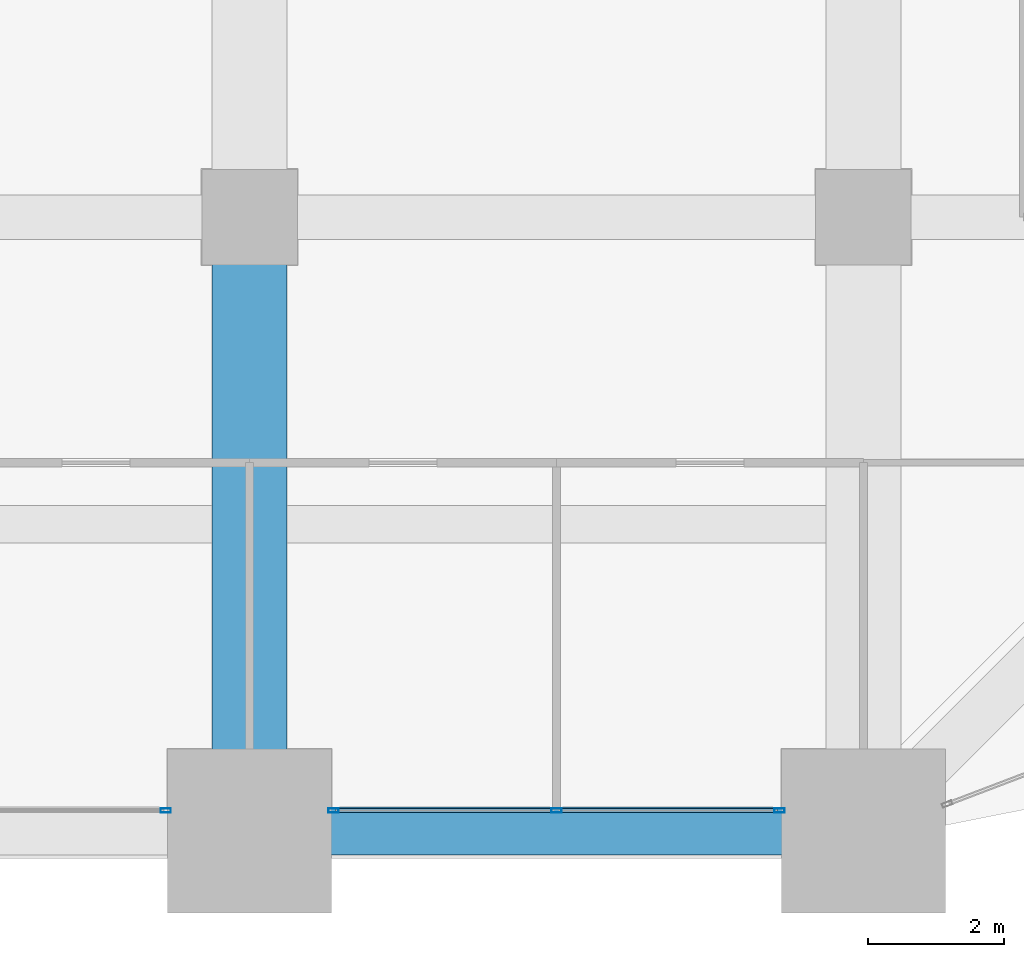
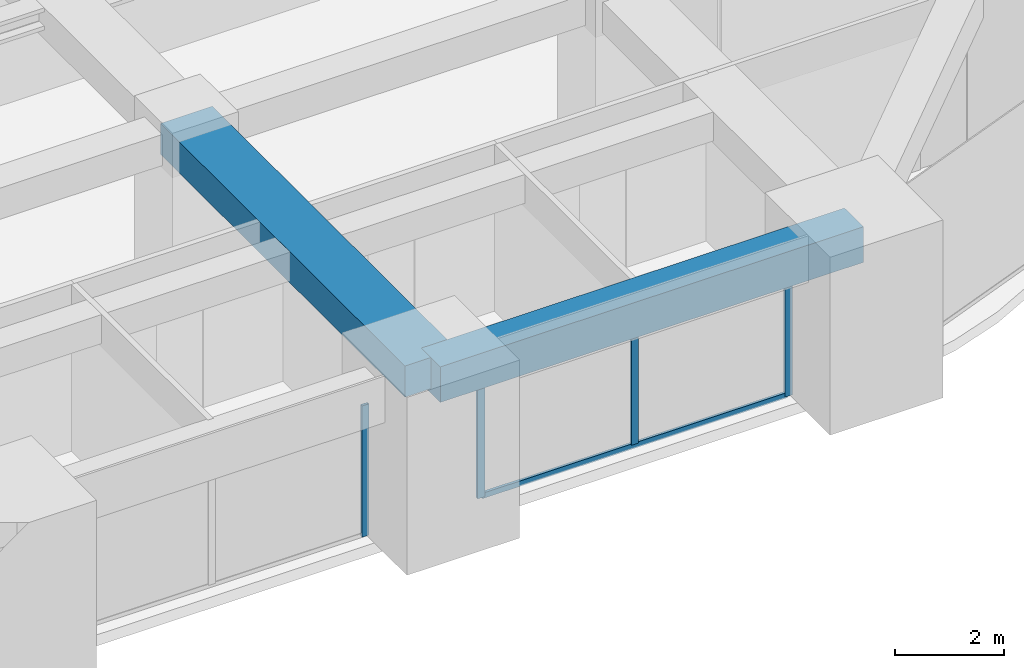
# One storey, part 13 of 33: 5 members, 2 beams, 2 elements without a shape of their own.
"""IFC4 building model written with IfcOpenShell, lengths in metres."""

import ifcopenshell
import ifcopenshell.guid

model = None  # the IFC model being written
_history = None  # IfcOwnerHistory: only IFC2X3 demands one
_inside = {}  # id of a spatial element -> (the spatial element, [elements in it])
_under = {}  # id of a project, library or spatial element -> (it, [spatial elements below it])
_declared = {}  # id of a project -> (the project, [libraries it declares])
_typed = {}  # id of a type object -> (the type object, [elements of that type])
_made_of = {}  # id of a material, layer set ... -> (it, [elements and type objects made of it])


def new_model(schema):
    """Start an empty IFC model of exactly this schema.

    Asked for "IFC4X3", IfcOpenShell would pick the latest addendum, in which some entities
    have other attributes; the version numbers below select the first issue.
    IFC2X3 requires an IfcOwnerHistory on every rooted entity: one is made here for all.
    """
    global model, _history
    if schema == "IFC4X3":
        model = ifcopenshell.file(schema_version=(4, 3, 0, 0))
    else:
        model = ifcopenshell.file(schema=schema)
    _inside.clear()
    _under.clear()
    _declared.clear()
    _typed.clear()
    _made_of.clear()
    _history = None
    if model.schema == "IFC2X3":
        org = make("IfcOrganization", Name="unknown")
        user = make(
            "IfcPersonAndOrganization",
            ThePerson=make("IfcPerson", FamilyName="unknown"),
            TheOrganization=org,
        )
        app = make(
            "IfcApplication",
            ApplicationDeveloper=org,
            Version="unknown",
            ApplicationFullName="unknown",
            ApplicationIdentifier="unknown",
        )
        _history = make(
            "IfcOwnerHistory",
            OwningUser=user,
            OwningApplication=app,
            ChangeAction="ADDED",
            CreationDate=0,
        )
    return model


def make(cls, **values):
    """One entity of the class cls with the attributes given. An attribute that is None is left unset."""
    return model.create_entity(
        cls, **{name: value for name, value in values.items() if value is not None}
    )


def rooted(cls, **values):
    """An entity with a GlobalId (a new one), such as an element, a storey or a relation."""
    return make(cls, GlobalId=ifcopenshell.guid.new(), OwnerHistory=_history, **values)


def si_unit(unit_type, name, prefix=None):
    """IfcSIUnit, for example si_unit("LENGTHUNIT", "METRE", prefix="MILLI")."""
    return make("IfcSIUnit", UnitType=unit_type, Prefix=prefix, Name=name)


def assignment(units):
    """IfcUnitAssignment: the units of a project."""
    return None if units is None else make("IfcUnitAssignment", Units=units)


def point(xyz):
    """IfcCartesianPoint."""
    return None if xyz is None else make("IfcCartesianPoint", Coordinates=xyz)


def direction(xyz):
    """IfcDirection."""
    return None if xyz is None else make("IfcDirection", DirectionRatios=xyz)


def frame(location, z_axis=None, x_axis=None):
    """IfcAxis2Placement3D, a coordinate frame: its origin and axes. An axis left out is left unset."""
    return make(
        "IfcAxis2Placement3D",
        Location=point(location),
        Axis=direction(z_axis),
        RefDirection=direction(x_axis),
    )


def frame_2d(location, x_axis=None):
    """IfcAxis2Placement2D, a coordinate frame in the plane: its origin and x axis."""
    return make(
        "IfcAxis2Placement2D", Location=point(location), RefDirection=direction(x_axis)
    )


def origin():
    """The frame at (0, 0, 0) with its axes left unset."""
    return frame((0.0, 0.0, 0.0))


def origin_2d():
    """The frame at (0, 0) in the plane with its x axis left unset."""
    return frame_2d((0.0, 0.0))


def place(relative_to, where):
    """IfcLocalPlacement: puts the frame where relative to a parent placement (None: the world)."""
    return make(
        "IfcLocalPlacement", PlacementRelTo=relative_to, RelativePlacement=where
    )


def context(
    kind, dimensions, precision=None, world=None, true_north=None, identifier=None
):
    """IfcGeometricRepresentationContext, for example the 3D "Model" context."""
    return make(
        "IfcGeometricRepresentationContext",
        ContextIdentifier=identifier,
        ContextType=kind,
        CoordinateSpaceDimension=dimensions,
        Precision=precision,
        WorldCoordinateSystem=world,
        TrueNorth=true_north,
    )


def subcontext(parent, identifier, kind, view, scale=None):
    """IfcGeometricRepresentationSubContext, for example "Body" below "Model"."""
    return make(
        "IfcGeometricRepresentationSubContext",
        ContextIdentifier=identifier,
        ContextType=kind,
        ParentContext=parent,
        TargetScale=scale,
        TargetView=view,
    )


def project(units=None, contexts=None):
    """IfcProject with its units and contexts."""
    return rooted(
        "IfcProject",
        Name="project",
        RepresentationContexts=contexts,
        UnitsInContext=assignment(units),
    )


def spatial(cls, under=None, at=None, **own):
    """A site, building, storey or space (cls), placed at a placement, below another one or the project."""
    s = rooted(cls, ObjectPlacement=at, **own)
    if under is not None:
        _under.setdefault(under.id(), (under, []))[1].append(s)
    return s


def profile(cls, at=None, kind="AREA", **sizes):
    """A parametric profile (cls). Its sizes go by their IFC names, for example OverallWidth=200.0."""
    return make(cls, ProfileType=kind, Position=at, **sizes)


def rectangle(**sizes):
    """IfcRectangleProfileDef."""
    return profile("IfcRectangleProfileDef", **sizes)


def hollow_rectangle(**sizes):
    """IfcRectangleHollowProfileDef."""
    return profile("IfcRectangleHollowProfileDef", **sizes)


def extrude(swept, where, along, depth):
    """IfcExtrudedAreaSolid: the profile swept, set in the frame where, extruded along a direction by depth."""
    return make(
        "IfcExtrudedAreaSolid",
        SweptArea=swept,
        Position=where,
        ExtrudedDirection=direction(along),
        Depth=depth,
    )


def shape(context_of_items, identifier, shape_type, items):
    """IfcShapeRepresentation: the items that make up one representation, for example the "Body"."""
    return make(
        "IfcShapeRepresentation",
        ContextOfItems=context_of_items,
        RepresentationIdentifier=identifier,
        RepresentationType=shape_type,
        Items=items,
    )


def material(Name=None, Category=None):
    """IfcMaterial."""
    return make("IfcMaterial", Name=Name, Category=Category)


def material_profile(
    of_material, cross_section, Name=None, Category=None, Priority=None
):
    """IfcMaterialProfile: a cross section and its material."""
    return make(
        "IfcMaterialProfile",
        Name=Name,
        Material=of_material,
        Profile=cross_section,
        Priority=Priority,
        Category=Category,
    )


def profile_set(profiles, Name=None, composite=None):
    """IfcMaterialProfileSet."""
    return make(
        "IfcMaterialProfileSet",
        Name=Name,
        MaterialProfiles=profiles,
        CompositeProfile=composite,
    )


def made_of(thing, what):
    """Note that an element or type object is made of a material, layer set ...; save() writes the relation."""
    if what is not None:
        _made_of.setdefault(what.id(), (what, []))[1].append(thing)
    return thing


def type_object(cls, material=None, **own):
    """A type object (cls), such as IfcWallType, which elements share."""
    return made_of(rooted(cls, **own), material)


def element(
    cls,
    number,
    at=None,
    inside=None,
    cuts=None,
    type_object=None,
    material=None,
    context=None,
    identifier="Body",
    shape_type=None,
    held_by="IfcProductDefinitionShape",
    body=None,
    shapes=None,
    **own,
):
    """One element of the class cls, such as IfcWall. Its Tag is "e" and its number.

    at: its placement. inside: the storey or other place that contains it. cuts: it is an
    opening in that element (IfcRelVoidsElement). A single representation is given by context,
    identifier, shape_type and body (its items); several are given by shapes. held_by: the class
    of the entity that holds the representations. save() writes the other relations.
    """
    e = rooted(cls, Tag="e%d" % number, ObjectPlacement=at, **own)
    if body is not None:
        shapes = [shape(context, identifier, shape_type, body)]
    if shapes is not None:
        e.Representation = make(held_by, Representations=shapes)
    if inside is not None:
        _inside.setdefault(inside.id(), (inside, []))[1].append(e)
    if cuts is not None:
        rooted(
            "IfcRelVoidsElement", RelatingBuildingElement=cuts, RelatedOpeningElement=e
        )
    if type_object is not None:
        _typed.setdefault(type_object.id(), (type_object, []))[1].append(e)
    return made_of(e, material)


def aggregate(whole, parts):
    """IfcRelAggregates: a whole, such as a stair, and the parts it consists of."""
    return rooted("IfcRelAggregates", RelatingObject=whole, RelatedObjects=parts)


def save(model, path):
    """Write the relations noted so far, then the file.

    IfcRelAggregates (storeys below a building ...), IfcRelContainedInSpatialStructure (elements
    in a storey), IfcRelDefinesByType, IfcRelAssociatesMaterial and IfcRelDeclares: one each for
    every whole, place, type object, material and project.
    """
    for whole, parts in _under.values():
        aggregate(whole, parts)
    for where, things in _inside.values():
        rooted(
            "IfcRelContainedInSpatialStructure",
            RelatedElements=things,
            RelatingStructure=where,
        )
    for kind, things in _typed.values():
        rooted("IfcRelDefinesByType", RelatedObjects=things, RelatingType=kind)
    for what, things in _made_of.values():
        rooted("IfcRelAssociatesMaterial", RelatedObjects=things, RelatingMaterial=what)
    for by, libraries in _declared.values():
        rooted("IfcRelDeclares", RelatingContext=by, RelatedDefinitions=libraries)
    model.write(path)


model = new_model("IFC4")

# Units and contexts
model_context = context("Model", 3, precision=1e-05, world=origin(), true_north=direction((0.0, 1.0)))
body_context = subcontext(model_context, "Body", "Model", "MODEL_VIEW")
ifc_project = project(units=[si_unit("LENGTHUNIT", "METRE"), si_unit("AREAUNIT", "SQUARE_METRE"), si_unit("VOLUMEUNIT", "CUBIC_METRE"), si_unit("PLANEANGLEUNIT", "RADIAN"), si_unit("MASSUNIT", "GRAM", prefix="KILO")], contexts=[model_context])

# Site, building, storey
site_placement = place(None, origin())
site = spatial("IfcSite", under=ifc_project, at=site_placement, CompositionType="ELEMENT")
building_placement = place(site_placement, origin())
building = spatial("IfcBuilding", under=site, at=building_placement, Name="Zorevar Civic Tower", CompositionType="ELEMENT")
storey_placement = place(building_placement, frame((0.0, 0.0, 206.199951171875)))
storey = spatial("IfcBuildingStorey", under=building, at=storey_placement, Name="L50", CompositionType="ELEMENT", Elevation=206.199951171875)

# Beam
ifc_material_1 = material(Name="Concrete C50/60", Category="concrete")
ifc_material_profile_1 = material_profile(ifc_material_1, rectangle(XDim=1.10009765625, YDim=0.699951171875, at=origin_2d()), Name="RC 1100x700")
ifc_profile_set_1 = profile_set([ifc_material_profile_1], Name="Concrete C50/60")
beam_type_1 = type_object("IfcBeamType", Name="Beam RC 1100x700", PredefinedType="BEAM", material=ifc_profile_set_1)
beam_1_placement = place(storey_placement, frame((36.0, 0.0, 3.400146484375), z_axis=(0.0, 1.0, 0.0), x_axis=(-1.0, 0.0, 0.0)))
element("IfcBeam", 1, at=beam_1_placement, inside=storey, type_object=beam_type_1, Name="Girder L51", PredefinedType="BEAM", context=body_context, shape_type="SweptSolid", body=[
    extrude(rectangle(XDim=1.10009765625, YDim=0.699951171875, at=origin_2d()), origin(), (0.0, 0.0, 1.0), 9.0),
])

# Curtain wall, member
ifc_material_2 = material(Name="Dark grey solar-control glass in black aluminium frame", Category="aluminium")
curtain_wall_type = type_object("IfcCurtainWallType", Name="Curtain wall CW4 high zone", PredefinedType="NOTDEFINED", material=ifc_material_2)
curtain_wall_1_placement = place(storey_placement, origin())
curtain_wall_1 = element("IfcCurtainWall", 2, at=curtain_wall_1_placement, inside=storey, type_object=curtain_wall_type, Name="CW4 L50", PredefinedType="NOTDEFINED")
ifc_material_3 = material(Name="Aluminium, black anodised", Category="aluminium")
ifc_material_profile_2 = material_profile(ifc_material_3, hollow_rectangle(XDim=0.06005859375, YDim=0.14990234375, WallThickness=0.00390625, at=origin_2d()), Name="AL 150x60x4")
ifc_profile_set_2 = profile_set([ifc_material_profile_2], Name="Aluminium, black anodised")
member_type_1 = type_object("IfcMemberType", Name="CW4 mullion AL 150x60x4", PredefinedType="MULLION", material=ifc_profile_set_2)
member_1_placement = place(storey_placement, frame((34.77001953125, 0.300048828125, 0.0), z_axis=(0.0, 0.0, 1.0), x_axis=(0.0, 1.0, 0.0)))
member_1 = element("IfcMember", 3, at=member_1_placement, type_object=member_type_1, Name="CW4 mullion 3", PredefinedType="MULLION", context=body_context, shape_type="SweptSolid", body=[
    extrude(hollow_rectangle(XDim=0.06005859375, YDim=0.14990234375, WallThickness=0.00390625, at=origin_2d()), origin(), (0.0, 0.0, 1.0), 2.949951171875),
])
aggregate(curtain_wall_1, [member_1])

# Curtain wall, members
curtain_wall_2_placement = place(storey_placement, origin())
curtain_wall_2 = element("IfcCurtainWall", 4, at=curtain_wall_2_placement, inside=storey, type_object=curtain_wall_type, Name="CW4 L50", PredefinedType="NOTDEFINED")
member_2_placement = place(storey_placement, frame((37.22998046875, 0.300048828125, 0.0), z_axis=(0.0, 0.0, 1.0), x_axis=(0.0, 1.0, 0.0)))
member_2 = element("IfcMember", 5, at=member_2_placement, type_object=member_type_1, Name="CW4 mullion 1", PredefinedType="MULLION", context=body_context, shape_type="SweptSolid", body=[
    extrude(hollow_rectangle(XDim=0.06005859375, YDim=0.14990234375, WallThickness=0.00390625, at=origin_2d()), origin(), (0.0, 0.0, 1.0), 2.949951171875),
])
member_3_placement = place(storey_placement, frame((40.5, 0.300048828125, 0.06005859375), z_axis=(0.0, 0.0, 1.0), x_axis=(0.0, 1.0, 0.0)))
member_3 = element("IfcMember", 6, at=member_3_placement, type_object=member_type_1, Name="CW4 mullion 2", PredefinedType="MULLION", context=body_context, shape_type="SweptSolid", body=[
    extrude(hollow_rectangle(XDim=0.06005859375, YDim=0.14990234375, WallThickness=0.00390625, at=origin_2d()), origin(), (0.0, 0.0, 1.0), 2.889892578125),
])
member_4_placement = place(storey_placement, frame((43.77001953125, 0.300048828125, 0.0), z_axis=(0.0, 0.0, 1.0), x_axis=(0.0, 1.0, 0.0)))
member_4 = element("IfcMember", 7, at=member_4_placement, type_object=member_type_1, Name="CW4 mullion 3", PredefinedType="MULLION", context=body_context, shape_type="SweptSolid", body=[
    extrude(hollow_rectangle(XDim=0.06005859375, YDim=0.14990234375, WallThickness=0.00390625, at=origin_2d()), origin(), (0.0, 0.0, 1.0), 2.949951171875),
])
ifc_material_4 = material(Name="Aluminium, black anodised", Category="aluminium")
ifc_material_profile_3 = material_profile(ifc_material_4, hollow_rectangle(XDim=0.06005859375, YDim=0.1201171875, WallThickness=0.0029296875, at=origin_2d()), Name="AL 120x60x3")
ifc_profile_set_3 = profile_set([ifc_material_profile_3], Name="Aluminium, black anodised")
member_type_2 = type_object("IfcMemberType", Name="CW4 transom AL 120x60x3", PredefinedType="USERDEFINED", material=ifc_profile_set_3)
member_5_placement = place(storey_placement, frame((37.260009765625, 0.300048828125, 0.030029296875), z_axis=(1.0, 0.0, 0.0), x_axis=(0.0, 1.0, 0.0)))
member_5 = element("IfcMember", 8, at=member_5_placement, type_object=member_type_2, Name="CW4 sill transom", ObjectType="TRANSOM", PredefinedType="USERDEFINED", context=body_context, shape_type="SweptSolid", body=[
    extrude(hollow_rectangle(XDim=0.06005859375, YDim=0.1201171875, WallThickness=0.0029296875, at=origin_2d()), origin(), (0.0, 0.0, 1.0), 6.47998046875),
])
aggregate(curtain_wall_2, [member_2, member_3, member_4, member_5])

# Beam
ifc_material_5 = material(Name="Concrete C50/60", Category="concrete")
ifc_material_profile_4 = material_profile(ifc_material_5, rectangle(XDim=0.699951171875, YDim=0.800048828125, at=origin_2d()), Name="RC 700x800")
ifc_profile_set_4 = profile_set([ifc_material_profile_4], Name="Concrete C50/60")
beam_type_2 = type_object("IfcBeamType", Name="Edge beam RC 700x800", PredefinedType="SPANDREL", material=ifc_profile_set_4)
beam_2_placement = place(storey_placement, frame((36.0, 0.0, 3.35009765625), z_axis=(1.0, 0.0, 0.0), x_axis=(0.0, 1.0, 0.0)))
element("IfcBeam", 9, at=beam_2_placement, inside=storey, type_object=beam_type_2, Name="Edge beam L51", PredefinedType="SPANDREL", context=body_context, shape_type="SweptSolid", body=[
    extrude(rectangle(XDim=0.699951171875, YDim=0.800048828125, at=origin_2d()), origin(), (0.0, 0.0, 1.0), 9.0),
])

save(model, "model.ifc")
